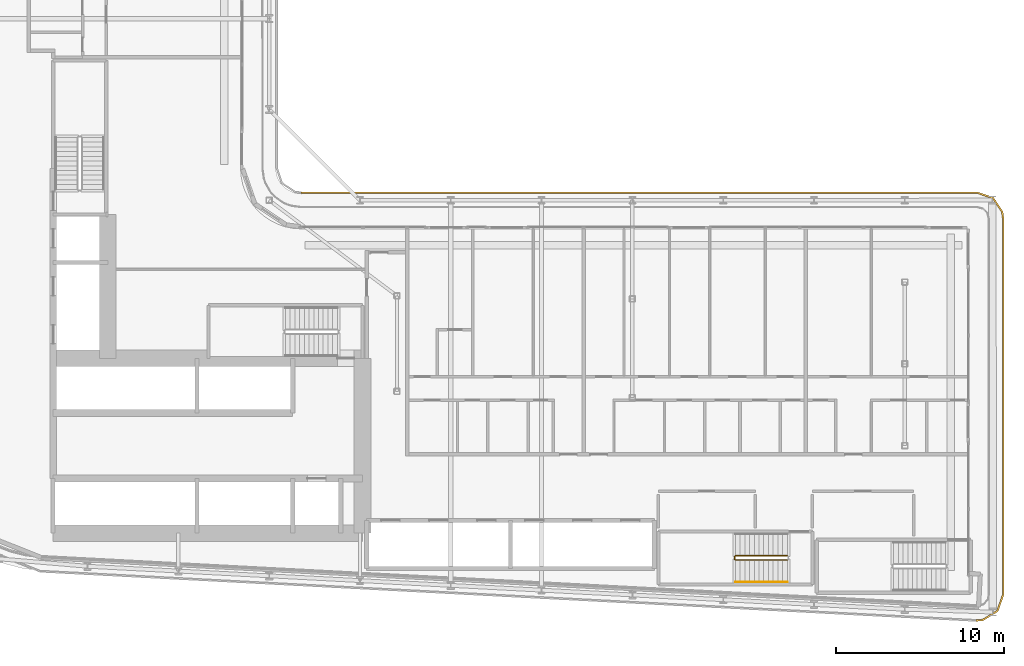
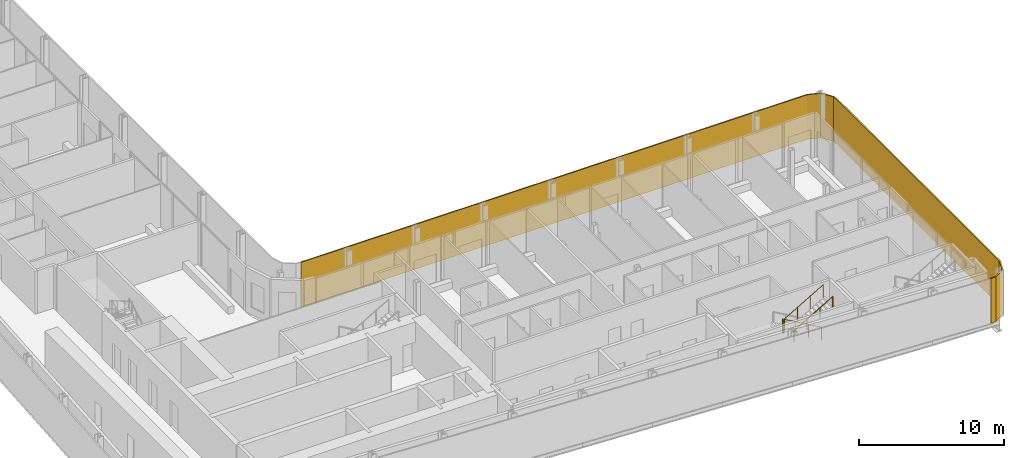
# One storey, part 20 of 24: 2 railings, 1 shading device.
"""IFC4 building model written with IfcOpenShell, lengths in metres."""

import ifcopenshell
import ifcopenshell.guid

model = None  # the IFC model being written
_history = None  # IfcOwnerHistory: only IFC2X3 demands one
_inside = {}  # id of a spatial element -> (the spatial element, [elements in it])
_under = {}  # id of a project, library or spatial element -> (it, [spatial elements below it])
_declared = {}  # id of a project -> (the project, [libraries it declares])
_typed = {}  # id of a type object -> (the type object, [elements of that type])
_made_of = {}  # id of a material, layer set ... -> (it, [elements and type objects made of it])


def new_model(schema):
    """Start an empty IFC model of exactly this schema.

    Asked for "IFC4X3", IfcOpenShell would pick the latest addendum, in which some entities
    have other attributes; the version numbers below select the first issue.
    IFC2X3 requires an IfcOwnerHistory on every rooted entity: one is made here for all.
    """
    global model, _history
    if schema == "IFC4X3":
        model = ifcopenshell.file(schema_version=(4, 3, 0, 0))
    else:
        model = ifcopenshell.file(schema=schema)
    _inside.clear()
    _under.clear()
    _declared.clear()
    _typed.clear()
    _made_of.clear()
    _history = None
    if model.schema == "IFC2X3":
        org = make("IfcOrganization", Name="unknown")
        user = make(
            "IfcPersonAndOrganization",
            ThePerson=make("IfcPerson", FamilyName="unknown"),
            TheOrganization=org,
        )
        app = make(
            "IfcApplication",
            ApplicationDeveloper=org,
            Version="unknown",
            ApplicationFullName="unknown",
            ApplicationIdentifier="unknown",
        )
        _history = make(
            "IfcOwnerHistory",
            OwningUser=user,
            OwningApplication=app,
            ChangeAction="ADDED",
            CreationDate=0,
        )
    return model


def make(cls, **values):
    """One entity of the class cls with the attributes given. An attribute that is None is left unset."""
    return model.create_entity(
        cls, **{name: value for name, value in values.items() if value is not None}
    )


def rooted(cls, **values):
    """An entity with a GlobalId (a new one), such as an element, a storey or a relation."""
    return make(cls, GlobalId=ifcopenshell.guid.new(), OwnerHistory=_history, **values)


def si_unit(unit_type, name, prefix=None):
    """IfcSIUnit, for example si_unit("LENGTHUNIT", "METRE", prefix="MILLI")."""
    return make("IfcSIUnit", UnitType=unit_type, Prefix=prefix, Name=name)


def assignment(units):
    """IfcUnitAssignment: the units of a project."""
    return None if units is None else make("IfcUnitAssignment", Units=units)


def point(xyz):
    """IfcCartesianPoint."""
    return None if xyz is None else make("IfcCartesianPoint", Coordinates=xyz)


def direction(xyz):
    """IfcDirection."""
    return None if xyz is None else make("IfcDirection", DirectionRatios=xyz)


def frame(location, z_axis=None, x_axis=None):
    """IfcAxis2Placement3D, a coordinate frame: its origin and axes. An axis left out is left unset."""
    return make(
        "IfcAxis2Placement3D",
        Location=point(location),
        Axis=direction(z_axis),
        RefDirection=direction(x_axis),
    )


def frame_2d(location, x_axis=None):
    """IfcAxis2Placement2D, a coordinate frame in the plane: its origin and x axis."""
    return make(
        "IfcAxis2Placement2D", Location=point(location), RefDirection=direction(x_axis)
    )


def origin():
    """The frame at (0, 0, 0) with its axes left unset."""
    return frame((0.0, 0.0, 0.0))


def origin_2d():
    """The frame at (0, 0) in the plane with its x axis left unset."""
    return frame_2d((0.0, 0.0))


def place(relative_to, where):
    """IfcLocalPlacement: puts the frame where relative to a parent placement (None: the world)."""
    return make(
        "IfcLocalPlacement", PlacementRelTo=relative_to, RelativePlacement=where
    )


def context(
    kind, dimensions, precision=None, world=None, true_north=None, identifier=None
):
    """IfcGeometricRepresentationContext, for example the 3D "Model" context."""
    return make(
        "IfcGeometricRepresentationContext",
        ContextIdentifier=identifier,
        ContextType=kind,
        CoordinateSpaceDimension=dimensions,
        Precision=precision,
        WorldCoordinateSystem=world,
        TrueNorth=true_north,
    )


def subcontext(parent, identifier, kind, view, scale=None):
    """IfcGeometricRepresentationSubContext, for example "Body" below "Model"."""
    return make(
        "IfcGeometricRepresentationSubContext",
        ContextIdentifier=identifier,
        ContextType=kind,
        ParentContext=parent,
        TargetScale=scale,
        TargetView=view,
    )


def project(units=None, contexts=None):
    """IfcProject with its units and contexts."""
    return rooted(
        "IfcProject",
        Name="project",
        RepresentationContexts=contexts,
        UnitsInContext=assignment(units),
    )


def spatial(cls, under=None, at=None, **own):
    """A site, building, storey or space (cls), placed at a placement, below another one or the project."""
    s = rooted(cls, ObjectPlacement=at, **own)
    if under is not None:
        _under.setdefault(under.id(), (under, []))[1].append(s)
    return s


def polyline(points):
    """IfcPolyline through the points."""
    return make("IfcPolyline", Points=[point(p) for p in points])


def profile(cls, at=None, kind="AREA", **sizes):
    """A parametric profile (cls). Its sizes go by their IFC names, for example OverallWidth=200.0."""
    return make(cls, ProfileType=kind, Position=at, **sizes)


def circle(**sizes):
    """IfcCircleProfileDef."""
    return profile("IfcCircleProfileDef", **sizes)


def outline(outer, holes=None, kind="AREA"):
    """IfcArbitraryClosedProfileDef: a profile drawn as a closed curve; with holes, ...WithVoids."""
    if holes is None:
        return make("IfcArbitraryClosedProfileDef", ProfileType=kind, OuterCurve=outer)
    return make(
        "IfcArbitraryProfileDefWithVoids",
        ProfileType=kind,
        OuterCurve=outer,
        InnerCurves=holes,
    )


def extrude(swept, where, along, depth):
    """IfcExtrudedAreaSolid: the profile swept, set in the frame where, extruded along a direction by depth."""
    return make(
        "IfcExtrudedAreaSolid",
        SweptArea=swept,
        Position=where,
        ExtrudedDirection=direction(along),
        Depth=depth,
    )


def shape(context_of_items, identifier, shape_type, items):
    """IfcShapeRepresentation: the items that make up one representation, for example the "Body"."""
    return make(
        "IfcShapeRepresentation",
        ContextOfItems=context_of_items,
        RepresentationIdentifier=identifier,
        RepresentationType=shape_type,
        Items=items,
    )


def material(Name=None, Category=None):
    """IfcMaterial."""
    return make("IfcMaterial", Name=Name, Category=Category)


def layer(
    of_material, thickness, ventilated=None, Name=None, Category=None, Priority=None
):
    """IfcMaterialLayer: one layer of a wall or slab, of a material (None: an air gap)."""
    return make(
        "IfcMaterialLayer",
        Material=of_material,
        LayerThickness=thickness,
        IsVentilated=ventilated,
        Name=Name,
        Category=Category,
        Priority=Priority,
    )


def layer_set(layers, Name=None):
    """IfcMaterialLayerSet."""
    return make("IfcMaterialLayerSet", MaterialLayers=layers, LayerSetName=Name)


def made_of(thing, what):
    """Note that an element or type object is made of a material, layer set ...; save() writes the relation."""
    if what is not None:
        _made_of.setdefault(what.id(), (what, []))[1].append(thing)
    return thing


def type_object(cls, material=None, **own):
    """A type object (cls), such as IfcWallType, which elements share."""
    return made_of(rooted(cls, **own), material)


def element(
    cls,
    number,
    at=None,
    inside=None,
    cuts=None,
    type_object=None,
    material=None,
    context=None,
    identifier="Body",
    shape_type=None,
    held_by="IfcProductDefinitionShape",
    body=None,
    shapes=None,
    **own,
):
    """One element of the class cls, such as IfcWall. Its Tag is "e" and its number.

    at: its placement. inside: the storey or other place that contains it. cuts: it is an
    opening in that element (IfcRelVoidsElement). A single representation is given by context,
    identifier, shape_type and body (its items); several are given by shapes. held_by: the class
    of the entity that holds the representations. save() writes the other relations.
    """
    e = rooted(cls, Tag="e%d" % number, ObjectPlacement=at, **own)
    if body is not None:
        shapes = [shape(context, identifier, shape_type, body)]
    if shapes is not None:
        e.Representation = make(held_by, Representations=shapes)
    if inside is not None:
        _inside.setdefault(inside.id(), (inside, []))[1].append(e)
    if cuts is not None:
        rooted(
            "IfcRelVoidsElement", RelatingBuildingElement=cuts, RelatedOpeningElement=e
        )
    if type_object is not None:
        _typed.setdefault(type_object.id(), (type_object, []))[1].append(e)
    return made_of(e, material)


def aggregate(whole, parts):
    """IfcRelAggregates: a whole, such as a stair, and the parts it consists of."""
    return rooted("IfcRelAggregates", RelatingObject=whole, RelatedObjects=parts)


def save(model, path):
    """Write the relations noted so far, then the file.

    IfcRelAggregates (storeys below a building ...), IfcRelContainedInSpatialStructure (elements
    in a storey), IfcRelDefinesByType, IfcRelAssociatesMaterial and IfcRelDeclares: one each for
    every whole, place, type object, material and project.
    """
    for whole, parts in _under.values():
        aggregate(whole, parts)
    for where, things in _inside.values():
        rooted(
            "IfcRelContainedInSpatialStructure",
            RelatedElements=things,
            RelatingStructure=where,
        )
    for kind, things in _typed.values():
        rooted("IfcRelDefinesByType", RelatedObjects=things, RelatingType=kind)
    for what, things in _made_of.values():
        rooted("IfcRelAssociatesMaterial", RelatedObjects=things, RelatingMaterial=what)
    for by, libraries in _declared.values():
        rooted("IfcRelDeclares", RelatingContext=by, RelatedDefinitions=libraries)
    model.write(path)


model = new_model("IFC4")

# Units and contexts
model_context = context("Model", 3, precision=1e-05, world=origin(), true_north=direction((0.0, 1.0)))
body_context = subcontext(model_context, "Body", "Model", "MODEL_VIEW")
ifc_project = project(units=[si_unit("LENGTHUNIT", "METRE"), si_unit("AREAUNIT", "SQUARE_METRE"), si_unit("VOLUMEUNIT", "CUBIC_METRE"), si_unit("PLANEANGLEUNIT", "RADIAN"), si_unit("MASSUNIT", "GRAM", prefix="KILO")], contexts=[model_context])

# Site, building, storey
site_placement = place(None, origin())
site = spatial("IfcSite", under=ifc_project, at=site_placement, CompositionType="ELEMENT")
building_placement = place(site_placement, origin())
building = spatial("IfcBuilding", under=site, at=building_placement, Name="Kheshtan School and Residences Tower", CompositionType="ELEMENT")
storey_placement = place(building_placement, frame((0.0, 0.0, 38.300048828125)))
storey = spatial("IfcBuildingStorey", under=building, at=storey_placement, Name="L08", CompositionType="ELEMENT", Elevation=38.300048828125)

# Shading device
ifc_material_1 = material(Name="Terracotta lattice, extruded ceramic", Category="masonry")
ifc_layer = layer(ifc_material_1, 0.10009765625)
ifc_layer_set = layer_set([ifc_layer], Name="Loggia screen, terracotta lattice")
shading_device_type = type_object("IfcShadingDeviceType", Name="Loggia screen, terracotta lattice", PredefinedType="USERDEFINED", material=ifc_layer_set)
shading_device_placement = place(storey_placement, origin())
element("IfcShadingDevice", 1, at=shading_device_placement, inside=storey, type_object=shading_device_type, Name="Screen L08 2", ObjectType="SCREEN", PredefinedType="USERDEFINED", context=body_context, shape_type="SweptSolid", body=[
    extrude(outline(polyline([(49.5, 46.0), (89.699951171875, 46.0), (90.613037109375, 45.68994140625), (91.14892578125, 44.887939453125), (91.199951171875, 44.5), (91.199951171875, 22.14892578125), (90.8701171875, 21.2099609375), (90.02392578125, 20.68505859375), (89.62109375, 20.652099609375), (89.62890625, 20.552001953125), (90.055908203125, 20.5869140625), (90.952880859375, 21.14404296875), (91.300048828125, 22.132080078125), (91.300048828125, 44.507080078125), (91.2451171875, 44.924072265625), (90.677001953125, 45.77392578125), (89.717041015625, 46.10009765625), (49.5, 46.10009765625), (49.5, 46.0)])), origin(), (0.0, 0.0, 1.0), 3.75),
])

# Railings
ifc_material_2 = material(Name="Stainless steel balustrade", Category="steel")
railing_type_1 = type_object("IfcRailingType", Name="Stair guard 1100", PredefinedType="GUARDRAIL", material=ifc_material_2)
railing_1_placement = place(storey_placement, frame((78.409912109375, 24.449951171875, 0.162353515625)))
element("IfcRailing", 2, at=railing_1_placement, inside=storey, type_object=railing_type_1, Name="L08 ST5 stair guard 1", PredefinedType="GUARDRAIL", context=body_context, shape_type="SweptSolid", body=[
    extrude(circle(Radius=0.02392578125, at=origin_2d()), frame((0.0, 0.0, 1.076171875), z_axis=(-0.864873446163, 0.0, 0.501989962173), x_axis=(0.0, -1.0, 0.0)), (0.0, 0.0, 1.0), 3.56103515625),
    extrude(circle(Radius=0.02392578125, at=origin_2d()), frame((-3.079833984375, 0.0, 2.86376953125), z_axis=(-0.707106781187, -0.707106781187, 0.0), x_axis=(0.707106781187, -0.707106781187, 0.0)), (0.0, 0.0, 1.0), 0.07080078125),
    extrude(circle(Radius=0.02392578125, at=origin_2d()), frame((-3.1298828125, -0.050048828125, 2.86376953125), z_axis=(0.0, -1.0, 0.0), x_axis=(1.0, 0.0, 0.0)), (0.0, 0.0, 1.0), 0.14990234375),
    extrude(circle(Radius=0.02392578125, at=origin_2d()), frame((-3.1298828125, -0.199951171875, 2.86376953125), z_axis=(0.282227285176, -0.282227285176, 0.916894497205), x_axis=(0.707106781187, 0.707106781187, 0.0)), (0.0, 0.0, 1.0), 0.17724609375),
    extrude(circle(Radius=0.02392578125, at=origin_2d()), frame((-3.079833984375, -0.25, 3.0263671875), z_axis=(0.864903211148, 0.0, 0.501938676878), x_axis=(0.0, 1.0, 0.0)), (0.0, 0.0, 1.0), 3.560791015625),
    extrude(circle(Radius=0.02099609375, at=origin_2d()), origin(), (0.0, 0.0, 1.0), 1.052001953125),
    extrude(circle(Radius=0.02099609375, at=origin_2d()), frame((-1.026611328125, 0.0, 0.595947265625)), (0.0, 0.0, 1.0), 1.052001953125),
    extrude(circle(Radius=0.02099609375, at=origin_2d()), frame((-2.05322265625, 0.0, 1.191650390625)), (0.0, 0.0, 1.0), 1.052001953125),
    extrude(circle(Radius=0.02099609375, at=origin_2d()), frame((-3.079833984375, 0.0, 1.78759765625)), (0.0, 0.0, 1.0), 1.052001953125),
    extrude(circle(Radius=0.02099609375, at=origin_2d()), frame((-3.1298828125, -0.050048828125, 1.78759765625)), (0.0, 0.0, 1.0), 1.052001953125),
    extrude(circle(Radius=0.02099609375, at=origin_2d()), frame((-3.1298828125, -0.199951171875, 1.78759765625)), (0.0, 0.0, 1.0), 1.052001953125),
    extrude(circle(Radius=0.02099609375, at=origin_2d()), frame((-3.079833984375, -0.25, 1.9501953125)), (0.0, 0.0, 1.0), 1.052001953125),
    extrude(circle(Radius=0.02099609375, at=origin_2d()), frame((-2.05322265625, -0.25, 2.5458984375)), (0.0, 0.0, 1.0), 1.052001953125),
    extrude(circle(Radius=0.02099609375, at=origin_2d()), frame((-1.026611328125, -0.25, 3.141845703125)), (0.0, 0.0, 1.0), 1.052001953125),
    extrude(circle(Radius=0.02099609375, at=origin_2d()), frame((0.0, -0.25, 3.737548828125)), (0.0, 0.0, 1.0), 1.052001953125),
])
ifc_material_3 = material(Name="Stainless steel handrail", Category="steel")
railing_type_2 = type_object("IfcRailingType", Name="Stair handrail 900", PredefinedType="HANDRAIL", material=ifc_material_3)
railing_2_placement = place(storey_placement, frame((75.330078125, 22.89990234375, 2.112548828125)))
element("IfcRailing", 3, at=railing_2_placement, inside=storey, type_object=railing_type_2, Name="L08 ST5 stair handrail 2", PredefinedType="HANDRAIL", context=body_context, shape_type="SweptSolid", body=[
    extrude(circle(Radius=0.02392578125, at=origin_2d()), frame((0.0, 0.0, 0.8759765625), z_axis=(0.864903211148, 0.0, 0.501938676878), x_axis=(0.0, 1.0, 0.0)), (0.0, 0.0, 1.0), 3.560791015625),
    extrude(circle(Radius=0.02099609375, at=origin_2d()), origin(), (0.0, 0.0, 1.0), 0.851806640625),
    extrude(circle(Radius=0.02099609375, at=origin_2d()), frame((1.026611328125, 0.0, 0.595703125)), (0.0, 0.0, 1.0), 0.851806640625),
    extrude(circle(Radius=0.02099609375, at=origin_2d()), frame((2.05322265625, 0.0, 1.191650390625)), (0.0, 0.0, 1.0), 0.851806640625),
    extrude(circle(Radius=0.02099609375, at=origin_2d()), frame((3.079833984375, 0.0, 1.787353515625)), (0.0, 0.0, 1.0), 0.851806640625),
])

save(model, "model.ifc")
